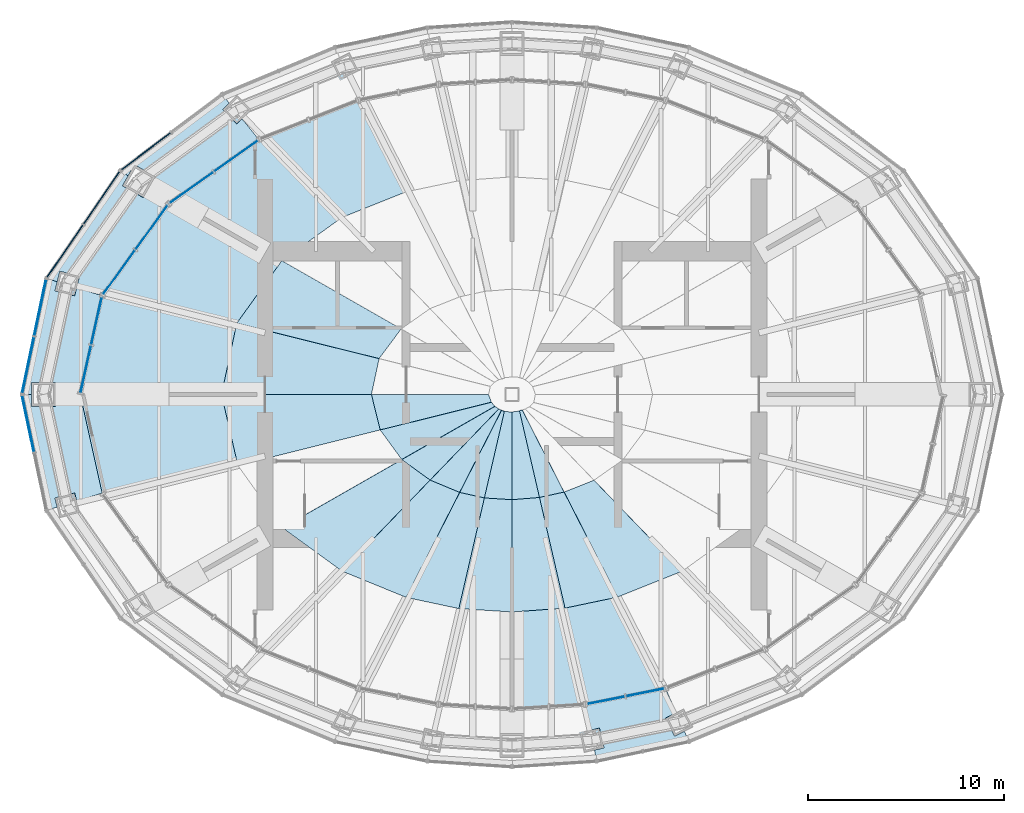
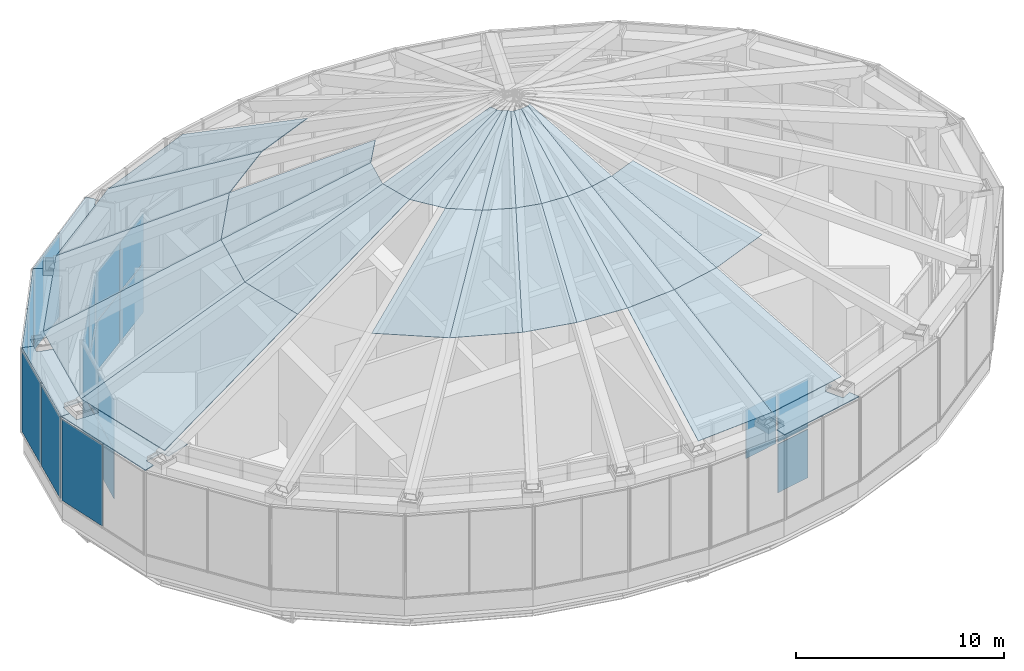
# One storey, part 15 of 21: 51 plates, 8 elements without a shape of their own.
"""IFC4 building model written with IfcOpenShell, lengths in metres."""

from ifc_helpers import new_model, si_unit, direction, frame, origin, origin_2d, place, context, subcontext, project, spatial, polyline, rectangle, outline, extrude, material, layer, layer_set, type_object, element, aggregate, save


model = new_model("IFC4")

# Units and contexts
model_context = context("Model", 3, precision=1e-05, world=origin(), true_north=direction((0.0, 1.0)))
body_context = subcontext(model_context, "Body", "Model", "MODEL_VIEW")
ifc_project = project(units=[si_unit("LENGTHUNIT", "METRE"), si_unit("AREAUNIT", "SQUARE_METRE"), si_unit("VOLUMEUNIT", "CUBIC_METRE"), si_unit("PLANEANGLEUNIT", "RADIAN"), si_unit("MASSUNIT", "GRAM", prefix="KILO")], contexts=[model_context])

# Site, building, storey
site_placement = place(None, origin())
site = spatial("IfcSite", under=ifc_project, at=site_placement, CompositionType="ELEMENT")
building_placement = place(site_placement, origin())
building = spatial("IfcBuilding", under=site, at=building_placement, Name="Lantaw Convention Tower", CompositionType="ELEMENT")
storey_placement = place(building_placement, frame((0.0, 0.0, 290.39990234375)))
storey = spatial("IfcBuildingStorey", under=building, at=storey_placement, Name="L67", CompositionType="ELEMENT", Elevation=290.39990234375)

# Curtain wall, plates
ifc_material_1 = material(Name="Aluminium framed curtain wall", Category="aluminium")
curtain_wall_type_1 = type_object("IfcCurtainWallType", Name="LANTERN glazing curtain wall, pale aluminium", PredefinedType="USERDEFINED", material=ifc_material_1)
curtain_wall_1_placement = place(storey_placement, origin())
curtain_wall_1 = element("IfcCurtainWall", 1, at=curtain_wall_1_placement, inside=storey, type_object=curtain_wall_type_1, Name="LANTERN glazing curtain wall, pale aluminium L67", ObjectType="LANTERN GLAZING", PredefinedType="USERDEFINED")
ifc_material_2 = material(Name="Low-iron laminated glass", Category="glass")
ifc_layer_1 = layer(ifc_material_2, 0.035888671875)
ifc_layer_set_1 = layer_set([ifc_layer_1], Name="CW-LN panel 36")
plate_type_1 = type_object("IfcPlateType", Name="CW-LN panel 36", PredefinedType="CURTAIN_PANEL", material=ifc_layer_set_1)
plate_1_placement = place(storey_placement, frame((-14.079345703125, 12.16064453125, 0.10009765625), z_axis=(0.0, 0.0, 1.0), x_axis=(-0.814841441337, -0.579683901346, 0.0)))
plate_1 = element("IfcPlate", 2, at=plate_1_placement, type_object=plate_type_1, Name="CW-LN panel 1.1", PredefinedType="CURTAIN_PANEL", context=body_context, shape_type="SweptSolid", body=[
    extrude(rectangle(XDim=2.680419921875, YDim=0.035888671875, at=origin_2d()), origin(), (0.0, 0.0, 1.0), 2.85009765625),
])
plate_2_placement = place(storey_placement, frame((-14.079345703125, 12.16064453125, 3.050048828125), z_axis=(0.0, 0.0, 1.0), x_axis=(-0.814841441337, -0.579683901346, 0.0)))
plate_2 = element("IfcPlate", 3, at=plate_2_placement, type_object=plate_type_1, Name="CW-LN panel 1.2", PredefinedType="CURTAIN_PANEL", context=body_context, shape_type="SweptSolid", body=[
    extrude(rectangle(XDim=2.680419921875, YDim=0.035888671875, at=origin_2d()), origin(), (0.0, 0.0, 1.0), 2.85009765625),
])
plate_3_placement = place(storey_placement, frame((-16.344970703125, 10.549072265625, 0.10009765625), z_axis=(0.0, 0.0, 1.0), x_axis=(-0.814841441337, -0.579683901346, 0.0)))
plate_3 = element("IfcPlate", 4, at=plate_3_placement, type_object=plate_type_1, Name="CW-LN panel 2.1", PredefinedType="CURTAIN_PANEL", context=body_context, shape_type="SweptSolid", body=[
    extrude(rectangle(XDim=2.680419921875, YDim=0.035888671875, at=origin_2d()), origin(), (0.0, 0.0, 1.0), 2.85009765625),
])
plate_4_placement = place(storey_placement, frame((-16.344970703125, 10.549072265625, 3.050048828125), z_axis=(0.0, 0.0, 1.0), x_axis=(-0.814841441337, -0.579683901346, 0.0)))
plate_4 = element("IfcPlate", 5, at=plate_4_placement, type_object=plate_type_1, Name="CW-LN panel 2.2", PredefinedType="CURTAIN_PANEL", context=body_context, shape_type="SweptSolid", body=[
    extrude(rectangle(XDim=2.680419921875, YDim=0.035888671875, at=origin_2d()), origin(), (0.0, 0.0, 1.0), 2.85009765625),
])
aggregate(curtain_wall_1, [plate_1, plate_2, plate_3, plate_4])

curtain_wall_2_placement = place(storey_placement, origin())
curtain_wall_2 = element("IfcCurtainWall", 6, at=curtain_wall_2_placement, inside=storey, type_object=curtain_wall_type_1, Name="LANTERN glazing curtain wall, pale aluminium L67", ObjectType="LANTERN GLAZING", PredefinedType="USERDEFINED")
plate_5_placement = place(storey_placement, frame((-18.380615234375, 8.524169921875, 0.10009765625), z_axis=(0.0, 0.0, 1.0), x_axis=(-0.586786346995, -0.809741800193, 0.0)))
plate_5 = element("IfcPlate", 7, at=plate_5_placement, type_object=plate_type_1, Name="CW-LN panel 1.1", PredefinedType="CURTAIN_PANEL", context=body_context, shape_type="SweptSolid", body=[
    extrude(rectangle(XDim=2.73876953125, YDim=0.035888671875, at=origin_2d()), origin(), (0.0, 0.0, 1.0), 2.85009765625),
])
plate_6_placement = place(storey_placement, frame((-18.380615234375, 8.524169921875, 3.050048828125), z_axis=(0.0, 0.0, 1.0), x_axis=(-0.586786346995, -0.809741800193, 0.0)))
plate_6 = element("IfcPlate", 8, at=plate_6_placement, type_object=plate_type_1, Name="CW-LN panel 1.2", PredefinedType="CURTAIN_PANEL", context=body_context, shape_type="SweptSolid", body=[
    extrude(rectangle(XDim=2.73876953125, YDim=0.035888671875, at=origin_2d()), origin(), (0.0, 0.0, 1.0), 2.85009765625),
])
plate_7_placement = place(storey_placement, frame((-20.04638671875, 6.2255859375, 0.10009765625), z_axis=(0.0, 0.0, 1.0), x_axis=(-0.586786346995, -0.809741800193, 0.0)))
plate_7 = element("IfcPlate", 9, at=plate_7_placement, type_object=plate_type_1, Name="CW-LN panel 2.1", PredefinedType="CURTAIN_PANEL", context=body_context, shape_type="SweptSolid", body=[
    extrude(rectangle(XDim=2.73876953125, YDim=0.035888671875, at=origin_2d()), origin(), (0.0, 0.0, 1.0), 2.85009765625),
])
plate_8_placement = place(storey_placement, frame((-20.04638671875, 6.2255859375, 3.050048828125), z_axis=(0.0, 0.0, 1.0), x_axis=(-0.586786346995, -0.809741800193, 0.0)))
plate_8 = element("IfcPlate", 10, at=plate_8_placement, type_object=plate_type_1, Name="CW-LN panel 2.2", PredefinedType="CURTAIN_PANEL", context=body_context, shape_type="SweptSolid", body=[
    extrude(rectangle(XDim=2.73876953125, YDim=0.035888671875, at=origin_2d()), origin(), (0.0, 0.0, 1.0), 2.85009765625),
])
aggregate(curtain_wall_2, [plate_5, plate_6, plate_7, plate_8])

curtain_wall_3_placement = place(storey_placement, origin())
curtain_wall_3 = element("IfcCurtainWall", 11, at=curtain_wall_3_placement, inside=storey, type_object=curtain_wall_type_1, Name="LANTERN glazing curtain wall, pale aluminium L67", ObjectType="LANTERN GLAZING", PredefinedType="USERDEFINED")
plate_9_placement = place(storey_placement, frame((-21.193603515625, 3.75244140625, 0.10009765625), z_axis=(0.0, 0.0, 1.0), x_axis=(-0.216765379683, -0.976223729568, 0.0)))
plate_9 = element("IfcPlate", 12, at=plate_9_placement, type_object=plate_type_1, Name="CW-LN panel 1.1", PredefinedType="CURTAIN_PANEL", context=body_context, shape_type="SweptSolid", body=[
    extrude(rectangle(XDim=2.42919921875, YDim=0.035888671875, at=origin_2d()), origin(), (0.0, 0.0, 1.0), 2.85009765625),
])
plate_10_placement = place(storey_placement, frame((-21.193603515625, 3.75244140625, 3.050048828125), z_axis=(0.0, 0.0, 1.0), x_axis=(-0.216765379683, -0.976223729568, 0.0)))
plate_10 = element("IfcPlate", 13, at=plate_10_placement, type_object=plate_type_1, Name="CW-LN panel 1.2", PredefinedType="CURTAIN_PANEL", context=body_context, shape_type="SweptSolid", body=[
    extrude(rectangle(XDim=2.42919921875, YDim=0.035888671875, at=origin_2d()), origin(), (0.0, 0.0, 1.0), 2.85009765625),
])
plate_11_placement = place(storey_placement, frame((-21.741943359375, 1.283203125, 0.10009765625), z_axis=(0.0, 0.0, 1.0), x_axis=(-0.216765379683, -0.976223729568, 0.0)))
plate_11 = element("IfcPlate", 14, at=plate_11_placement, type_object=plate_type_1, Name="CW-LN panel 2.1", PredefinedType="CURTAIN_PANEL", context=body_context, shape_type="SweptSolid", body=[
    extrude(rectangle(XDim=2.42919921875, YDim=0.035888671875, at=origin_2d()), origin(), (0.0, 0.0, 1.0), 2.85009765625),
])
plate_12_placement = place(storey_placement, frame((-21.741943359375, 1.283203125, 3.050048828125), z_axis=(0.0, 0.0, 1.0), x_axis=(-0.216765379683, -0.976223729568, 0.0)))
plate_12 = element("IfcPlate", 15, at=plate_12_placement, type_object=plate_type_1, Name="CW-LN panel 2.2", PredefinedType="CURTAIN_PANEL", context=body_context, shape_type="SweptSolid", body=[
    extrude(rectangle(XDim=2.42919921875, YDim=0.035888671875, at=origin_2d()), origin(), (0.0, 0.0, 1.0), 2.85009765625),
])
aggregate(curtain_wall_3, [plate_9, plate_10, plate_11, plate_12])

curtain_wall_4_placement = place(storey_placement, origin())
curtain_wall_4 = element("IfcCurtainWall", 16, at=curtain_wall_4_placement, inside=storey, type_object=curtain_wall_type_1, Name="LANTERN glazing curtain wall, pale aluminium L67", ObjectType="LANTERN GLAZING", PredefinedType="USERDEFINED")
plate_13_placement = place(storey_placement, frame((4.792724609375, -15.60400390625, 3.050048828125), z_axis=(0.0, 0.0, 1.0), x_axis=(0.980530423622, 0.196367228305, 0.0)))
plate_13 = element("IfcPlate", 17, at=plate_13_placement, type_object=plate_type_1, Name="CW-LN panel 1.2", PredefinedType="CURTAIN_PANEL", context=body_context, shape_type="SweptSolid", body=[
    extrude(rectangle(XDim=1.936279296875, YDim=0.035888671875, at=origin_2d()), origin(), (0.0, 0.0, 1.0), 2.85009765625),
])
plate_14_placement = place(storey_placement, frame((6.789306640625, -15.2041015625, 0.10009765625), z_axis=(0.0, 0.0, 1.0), x_axis=(0.980530423622, 0.196367228305, 0.0)))
plate_14 = element("IfcPlate", 18, at=plate_14_placement, type_object=plate_type_1, Name="CW-LN panel 2.1", PredefinedType="CURTAIN_PANEL", context=body_context, shape_type="SweptSolid", body=[
    extrude(rectangle(XDim=1.936279296875, YDim=0.035888671875, at=origin_2d()), origin(), (0.0, 0.0, 1.0), 2.85009765625),
])
plate_15_placement = place(storey_placement, frame((6.789306640625, -15.2041015625, 3.050048828125), z_axis=(0.0, 0.0, 1.0), x_axis=(0.980530423622, 0.196367228305, 0.0)))
plate_15 = element("IfcPlate", 19, at=plate_15_placement, type_object=plate_type_1, Name="CW-LN panel 2.2", PredefinedType="CURTAIN_PANEL", context=body_context, shape_type="SweptSolid", body=[
    extrude(rectangle(XDim=1.936279296875, YDim=0.035888671875, at=origin_2d()), origin(), (0.0, 0.0, 1.0), 2.85009765625),
])
aggregate(curtain_wall_4, [plate_13, plate_14, plate_15])

# Curtain wall, plate
curtain_wall_type_2 = type_object("IfcCurtainWallType", Name="Plant floor louvre wall, pale aluminium", PredefinedType="USERDEFINED", material=ifc_material_1)
curtain_wall_5_placement = place(storey_placement, origin())
curtain_wall_5 = element("IfcCurtainWall", 20, at=curtain_wall_5_placement, inside=storey, type_object=curtain_wall_type_2, Name="Plant floor louvre wall, pale aluminium L67", ObjectType="LOUVRE WALL", PredefinedType="USERDEFINED")
ifc_material_3 = material(Name="Aluminium louvre blades", Category="aluminium")
ifc_layer_2 = layer(ifc_material_3, 0.050048828125)
ifc_layer_set_2 = layer_set([ifc_layer_2], Name="CW-LV panel 50")
plate_type_2 = type_object("IfcPlateType", Name="CW-LV panel 50", PredefinedType="CURTAIN_PANEL", material=ifc_layer_set_2)
plate_16_placement = place(storey_placement, frame((-18.67041015625, 12.403564453125, 1.169921875), z_axis=(0.0, 0.0, 1.0), x_axis=(-0.799517528732, -0.600642756762, 0.0)))
plate_16 = element("IfcPlate", 21, at=plate_16_placement, type_object=plate_type_2, Name="CW-LV panel 2.1", PredefinedType="CURTAIN_PANEL", context=body_context, shape_type="SweptSolid", body=[
    extrude(rectangle(XDim=3.140869140625, YDim=0.050048828125, at=origin_2d()), origin(), (0.0, 0.0, 1.0), 4.760009765625),
])
aggregate(curtain_wall_5, [plate_16])

# Curtain wall, plates
curtain_wall_6_placement = place(storey_placement, origin())
curtain_wall_6 = element("IfcCurtainWall", 22, at=curtain_wall_6_placement, inside=storey, type_object=curtain_wall_type_2, Name="Plant floor louvre wall, pale aluminium L67", ObjectType="LOUVRE WALL", PredefinedType="USERDEFINED")
plate_17_placement = place(storey_placement, frame((-20.93505859375, 10.030029296875, 1.169921875), z_axis=(0.0, 0.0, 1.0), x_axis=(-0.565934832921, -0.824449977189, 0.0)))
plate_17 = element("IfcPlate", 23, at=plate_17_placement, type_object=plate_type_2, Name="CW-LV panel 1.1", PredefinedType="CURTAIN_PANEL", context=body_context, shape_type="SweptSolid", body=[
    extrude(rectangle(XDim=3.22802734375, YDim=0.050048828125, at=origin_2d()), origin(), (0.0, 0.0, 1.0), 4.760009765625),
])
plate_18_placement = place(storey_placement, frame((-22.80126953125, 7.31103515625, 1.169921875), z_axis=(0.0, 0.0, 1.0), x_axis=(-0.565934832921, -0.824449977189, 0.0)))
plate_18 = element("IfcPlate", 24, at=plate_18_placement, type_object=plate_type_2, Name="CW-LV panel 2.1", PredefinedType="CURTAIN_PANEL", context=body_context, shape_type="SweptSolid", body=[
    extrude(rectangle(XDim=3.22802734375, YDim=0.050048828125, at=origin_2d()), origin(), (0.0, 0.0, 1.0), 4.760009765625),
])
aggregate(curtain_wall_6, [plate_17, plate_18])

curtain_wall_7_placement = place(storey_placement, origin())
curtain_wall_7 = element("IfcCurtainWall", 25, at=curtain_wall_7_placement, inside=storey, type_object=curtain_wall_type_2, Name="Plant floor louvre wall, pale aluminium L67", ObjectType="LOUVRE WALL", PredefinedType="USERDEFINED")
plate_19_placement = place(storey_placement, frame((-24.0693359375, 4.4248046875, 1.169921875), z_axis=(0.0, 0.0, 1.0), x_axis=(-0.205814054946, -0.978591117263, 0.0)))
plate_19 = element("IfcPlate", 26, at=plate_19_placement, type_object=plate_type_2, Name="CW-LV panel 1.1", PredefinedType="CURTAIN_PANEL", context=body_context, shape_type="SweptSolid", body=[
    extrude(rectangle(XDim=2.921142578125, YDim=0.050048828125, at=origin_2d()), origin(), (0.0, 0.0, 1.0), 4.760009765625),
])
plate_20_placement = place(storey_placement, frame((-24.68505859375, 1.497802734375, 1.169921875), z_axis=(0.0, 0.0, 1.0), x_axis=(-0.205814054946, -0.978591117263, 0.0)))
plate_20 = element("IfcPlate", 27, at=plate_20_placement, type_object=plate_type_2, Name="CW-LV panel 2.1", PredefinedType="CURTAIN_PANEL", context=body_context, shape_type="SweptSolid", body=[
    extrude(rectangle(XDim=2.921142578125, YDim=0.050048828125, at=origin_2d()), origin(), (0.0, 0.0, 1.0), 4.760009765625),
])
aggregate(curtain_wall_7, [plate_19, plate_20])

# Curtain wall, plate
curtain_wall_8_placement = place(storey_placement, origin())
curtain_wall_8 = element("IfcCurtainWall", 28, at=curtain_wall_8_placement, inside=storey, type_object=curtain_wall_type_2, Name="Plant floor louvre wall, pale aluminium L67", ObjectType="LOUVRE WALL", PredefinedType="USERDEFINED")
plate_21_placement = place(storey_placement, frame((-24.68505859375, -1.497802734375, 1.169921875), z_axis=(0.0, 0.0, 1.0), x_axis=(0.205814054946, -0.978591117263, 0.0)))
plate_21 = element("IfcPlate", 29, at=plate_21_placement, type_object=plate_type_2, Name="CW-LV panel 1.1", PredefinedType="CURTAIN_PANEL", context=body_context, shape_type="SweptSolid", body=[
    extrude(rectangle(XDim=2.921142578125, YDim=0.050048828125, at=origin_2d()), origin(), (0.0, 0.0, 1.0), 4.760009765625),
])
aggregate(curtain_wall_8, [plate_21])

# Plates
ifc_material_4 = material(Name="Aluminium composite panel, pale silver", Category="aluminium")
ifc_layer_3 = layer(ifc_material_4, 0.050048828125)
ifc_layer_set_3 = layer_set([ifc_layer_3], Name="LANTERN eaves panel 50")
plate_type_3 = type_object("IfcPlateType", Name="LANTERN eaves panel 50", PredefinedType="SHEET", material=ifc_layer_set_3)
plate_22_placement = place(storey_placement, frame((0.0, 0.0, 6.0)))
element("IfcPlate", 30, at=plate_22_placement, inside=storey, type_object=plate_type_3, Name="LANTERN eaves panel", PredefinedType="SHEET", context=body_context, shape_type="SweptSolid", body=[
    extrude(outline(polyline([(-12.90576171875, 12.99560546875), (-13.7666015625, 14.055419921875), (-14.04052734375, 13.790771484375), (-14.762939453125, 14.5390625), (-14.4248046875, 14.865478515625), (-14.791748046875, 15.3173828125), (-19.98193359375, 11.418212890625), (-19.585693359375, 11.144287109375), (-19.257568359375, 11.718505859375), (-18.180908203125, 11.103271484375), (-18.562255859375, 10.43603515625), (-17.518310546875, 9.714111328125), (-12.90576171875, 12.99560546875)])), origin(), (0.0, 0.0, 1.0), 0.050048828125),
])
plate_23_placement = place(storey_placement, frame((0.0, 0.0, 6.0)))
element("IfcPlate", 31, at=plate_23_placement, inside=storey, type_object=plate_type_3, Name="LANTERN eaves panel", PredefinedType="SHEET", context=body_context, shape_type="SweptSolid", body=[
    extrude(outline(polyline([(-17.518310546875, 9.714111328125), (-18.562255859375, 10.43603515625), (-18.796142578125, 10.026611328125), (-19.872802734375, 10.641845703125), (-19.585693359375, 11.144287109375), (-19.98193359375, 11.418212890625), (-23.75439453125, 5.922607421875), (-23.19970703125, 5.749755859375), (-23.06591796875, 6.286865234375), (-22.056640625, 6.03515625), (-22.205078125, 5.439697265625), (-20.90869140625, 5.03564453125), (-17.518310546875, 9.714111328125)])), origin(), (0.0, 0.0, 1.0), 0.050048828125),
])
plate_24_placement = place(storey_placement, frame((0.0, 0.0, 6.0)))
element("IfcPlate", 32, at=plate_24_placement, inside=storey, type_object=plate_type_3, Name="LANTERN eaves panel", PredefinedType="SHEET", context=body_context, shape_type="SweptSolid", body=[
    extrude(outline(polyline([(-20.90869140625, 5.03564453125), (-22.205078125, 5.439697265625), (-22.308349609375, 5.026123046875), (-23.3173828125, 5.27783203125), (-23.19970703125, 5.749755859375), (-23.75439453125, 5.922607421875), (-25.0, 0.0), (-24.52001953125, 0.0), (-24.52001953125, 0.6201171875), (-23.280029296875, 0.6201171875), (-23.280029296875, 0.0), (-22.02685546875, 0.0), (-20.90869140625, 5.03564453125)])), origin(), (0.0, 0.0, 1.0), 0.050048828125),
])
plate_25_placement = place(storey_placement, frame((0.0, 0.0, 6.0)))
element("IfcPlate", 33, at=plate_25_placement, inside=storey, type_object=plate_type_3, Name="LANTERN eaves panel", PredefinedType="SHEET", context=body_context, shape_type="SweptSolid", body=[
    extrude(outline(polyline([(-22.02685546875, 0.0), (-23.280029296875, 0.0), (-23.280029296875, -0.6201171875), (-24.52001953125, -0.6201171875), (-24.52001953125, 0.0), (-25.0, 0.0), (-23.75439453125, -5.922607421875), (-23.19970703125, -5.749755859375), (-23.3173828125, -5.27783203125), (-22.308349609375, -5.026123046875), (-22.205078125, -5.439697265625), (-20.90869140625, -5.03564453125), (-22.02685546875, 0.0)])), origin(), (0.0, 0.0, 1.0), 0.050048828125),
])
plate_26_placement = place(storey_placement, frame((0.0, 0.0, 6.0)))
element("IfcPlate", 34, at=plate_26_placement, inside=storey, type_object=plate_type_3, Name="LANTERN eaves panel", PredefinedType="SHEET", context=body_context, shape_type="SweptSolid", body=[
    extrude(outline(polyline([(3.745361328125, -15.813720703125), (4.005126953125, -17.124267578125), (4.462646484375, -17.0185546875), (4.69677734375, -18.031982421875), (4.20751953125, -18.14501953125), (4.320556640625, -18.714111328125), (9.02783203125, -17.718017578125), (8.794921875, -17.185546875), (8.301025390625, -17.437255859375), (7.828857421875, -16.510498046875), (8.37744140625, -16.231201171875), (7.83642578125, -14.994384765625), (3.745361328125, -15.813720703125)])), origin(), (0.0, 0.0, 1.0), 0.050048828125),
])
ifc_layer_4 = layer(ifc_material_2, 0.035888671875)
ifc_layer_set_4 = layer_set([ifc_layer_4], Name="LANTERN roof glass 36")
plate_type_4 = type_object("IfcPlateType", Name="LANTERN roof glass 36", PredefinedType="SHEET", material=ifc_layer_set_4)
plate_27_placement = place(storey_placement, frame((-8.62744140625, 16.697998046875, 6.7314453125), z_axis=(-0.171101311281, 0.425413310467, 0.888677588643), x_axis=(-0.928321487637, -0.371777667128, -0.000762768976)))
element("IfcPlate", 35, at=plate_27_placement, inside=storey, type_object=plate_type_4, Name="LANTERN roof glass", PredefinedType="SHEET", context=body_context, shape_type="SweptSolid", body=[
    extrude(outline(polyline([(0.0, 0.0), (5.7873859783149, 1.5439038936193583e-16), (2.8885548955016627, 7.996192701663095), (-0.6465941826817319, 7.99985247265633), (0.0, 0.0)])), origin(), (0.0, 0.0, -1.0), 0.035888671875),
])
plate_28_placement = place(storey_placement, frame((-14.0, 14.54638671875, 6.72705078125), z_axis=(-0.256475614814, 0.350897030229, 0.900606203167), x_axis=(-0.810387981103, -0.585888242156, -0.00250754599)))
element("IfcPlate", 36, at=plate_28_placement, inside=storey, type_object=plate_type_4, Name="LANTERN roof glass", PredefinedType="SHEET", context=body_context, shape_type="SweptSolid", body=[
    extrude(outline(polyline([(0.0, 0.0), (6.1334316208424875, 3.235259282696745e-16), (2.685453075876651, 8.421104060679056), (-1.0947139965458723, 8.434685568240315), (0.0, 0.0)])), origin(), (0.0, 0.0, -1.0), 0.035888671875),
])
plate_29_placement = place(storey_placement, frame((-18.970458984375, 10.952880859375, 6.711669921875), z_axis=(-0.331218265523, 0.232406966982, 0.91448426027), x_axis=(-0.58112706502, -0.813804611997, -0.003658933324)))
element("IfcPlate", 37, at=plate_29_placement, inside=storey, type_object=plate_type_4, Name="LANTERN roof glass", PredefinedType="SHEET", context=body_context, shape_type="SweptSolid", body=[
    extrude(outline(polyline([(0.0, 0.0), (6.347089715091811, 4.683753385137379e-17), (3.0729183510709137, 9.037832064428528), (-0.8529929632363572, 9.059577951036603), (0.0, 0.0)])), origin(), (0.0, 0.0, -1.0), 0.035888671875),
])
plate_30_placement = place(storey_placement, frame((-11.740234375, 6.821533203125, 10.38037109375), z_axis=(-0.33123451583, 0.232410652844, 0.914477437648), x_axis=(-0.585233441157, -0.810843350335, -0.005905977449)))
element("IfcPlate", 38, at=plate_30_placement, inside=storey, type_object=plate_type_4, Name="LANTERN roof glass", PredefinedType="SHEET", context=body_context, shape_type="SweptSolid", body=[
    extrude(outline(polyline([(0.0, 0.0), (3.9259715399413055, 3.0010716134398763e-16), (1.1267407900695354, 7.59542243709389), (-0.7603877802750655, 7.625216964023146), (0.0, 0.0)])), origin(), (0.0, 0.0, -1.0), 0.035888671875),
])
plate_31_placement = place(storey_placement, frame((-22.658935546875, 5.78759765625, 6.6884765625), z_axis=(-0.373349551929, 0.080060115531, 0.924229673823), x_axis=(-0.209655633502, -0.977775288755, 6.454839e-06)))
element("IfcPlate", 39, at=plate_31_placement, inside=storey, type_object=plate_type_4, Name="LANTERN roof glass", PredefinedType="SHEET", context=body_context, shape_type="SweptSolid", body=[
    extrude(outline(polyline([(0.0, 0.0), (5.91914564948927, 0.0), (4.015121500618181, 9.607961148304756), (0.29420676485305286, 9.608124110599558), (0.0, 0.0)])), origin(), (0.0, 0.0, -1.0), 0.035888671875),
])
plate_32_placement = place(storey_placement, frame((-14.037841796875, 3.63818359375, 10.357177734375), z_axis=(-0.373361608653, 0.080058467313, 0.924224946101), x_axis=(-0.209693665768, -0.977767132981, -1.4094317e-05)))
element("IfcPlate", 40, at=plate_32_placement, inside=storey, type_object=plate_type_4, Name="LANTERN roof glass", PredefinedType="SHEET", context=body_context, shape_type="SweptSolid", body=[
    extrude(outline(polyline([(0.0, 0.0), (3.720914739130676, 0.0), (2.117093491305304, 8.091244948117813), (0.24744538942046446, 8.09103859618929), (0.0, 0.0)])), origin(), (0.0, 0.0, -1.0), 0.035888671875),
])
plate_33_placement = place(storey_placement, frame((-23.89990234375, 0.0, 6.6884765625), z_axis=(-0.373349324364, -0.080054786396, 0.924230227363), x_axis=(0.218905664324, -0.97573818458, 0.003912196142)))
element("IfcPlate", 41, at=plate_33_placement, inside=storey, type_object=plate_type_4, Name="LANTERN roof glass", PredefinedType="SHEET", context=body_context, shape_type="SweptSolid", body=[
    extrude(outline(polyline([(0.0, 0.0), (5.917741434825973, -3.3306690738754696e-16), (5.721796775355795, 9.610684773387858), (2.002407318998966, 9.587939836861814), (0.0, 0.0)])), origin(), (0.0, 0.0, -1.0), 0.035888671875),
])
plate_34_placement = place(storey_placement, frame((-14.818115234375, 0.0, 10.357177734375), z_axis=(-0.373362294268, -0.08005337944, 0.92422510984), x_axis=(0.224412701388, -0.974474147928, 0.00625095799)))
element("IfcPlate", 42, at=plate_34_placement, inside=storey, type_object=plate_type_4, Name="LANTERN roof glass", PredefinedType="SHEET", context=body_context, shape_type="SweptSolid", body=[
    extrude(outline(polyline([(0.0, 0.0), (3.7194590007796138, -1.1796119636642288e-16), (3.6041002676485854, 8.093999453169022), (1.7356646898783237, 8.063991287766104), (0.0, 0.0)])), origin(), (0.0, 0.0, -1.0), 0.035888671875),
])
plate_35_placement = place(storey_placement, frame((-7.169921875, 0.0, 13.44677734375), z_axis=(-0.37334512239, -0.080029098565, 0.924234149429), x_axis=(0.238831332491, -0.970981903024, 0.012399137864)))
element("IfcPlate", 43, at=plate_35_placement, inside=storey, type_object=plate_type_4, Name="LANTERN roof glass", PredefinedType="SHEET", context=body_context, shape_type="SweptSolid", body=[
    extrude(outline(polyline([(0.0, 0.0), (1.8686765373944467, -6.938893903907228e-18), (1.8801951436057627, 6.32415580137119), (1.4569084660595533, 6.27707198966804), (0.0, 0.0)])), origin(), (0.0, 0.0, -1.0), 0.035888671875),
])
plate_36_placement = place(storey_placement, frame((-6.7236328125, -1.814453125, 13.469970703125), z_axis=(-0.331165641388, -0.23249808717, 0.914480156934), x_axis=(0.589390552982, -0.807808014483, 0.008061500605)))
element("IfcPlate", 44, at=plate_36_placement, inside=storey, type_object=plate_type_4, Name="LANTERN roof glass", PredefinedType="SHEET", context=body_context, shape_type="SweptSolid", body=[
    extrude(outline(polyline([(0.0, 0.0), (1.8698527721696487, -8.847089727481716e-17), (2.497307582727411, 5.953717213361722), (2.2201155522404266, 5.92166920799492), (0.0, 0.0)])), origin(), (0.0, 0.0, -1.0), 0.035888671875),
])
plate_37_placement = place(storey_placement, frame((-11.710205078125, -6.80419921875, 10.395751953125), z_axis=(-0.256464799275, -0.350889236758, 0.900612319625), x_axis=(0.808775077728, -0.588116903709, 0.00117525208)))
element("IfcPlate", 45, at=plate_37_placement, inside=storey, type_object=plate_type_4, Name="LANTERN roof glass", PredefinedType="SHEET", context=body_context, shape_type="SweptSolid", body=[
    extrude(outline(polyline([(0.0, 0.0), (3.767259527769725, 2.7538735181131813e-16), (4.667811594245474, 7.10563638521856), (2.881752760868813, 7.100430678121081), (0.0, 0.0)])), origin(), (0.0, 0.0, -1.0), 0.035888671875),
])
plate_38_placement = place(storey_placement, frame((-5.62158203125, -3.324951171875, 13.485107421875), z_axis=(-0.256496656934, -0.350856644681, 0.900615944709), x_axis=(0.810302697178, -0.586006293827, 0.002482446519)))
element("IfcPlate", 46, at=plate_38_placement, inside=storey, type_object=plate_type_4, Name="LANTERN roof glass", PredefinedType="SHEET", context=body_context, shape_type="SweptSolid", body=[
    extrude(outline(polyline([(0.0, 0.0), (1.7860664195670508, 1.1752751549742868e-16), (2.505520957623048, 5.5492416551141535), (2.267693151594455, 5.5405790283157), (0.0, 0.0)])), origin(), (0.0, 0.0, -1.0), 0.035888671875),
])
plate_39_placement = place(storey_placement, frame((-8.663330078125, -9.019775390625, 10.400146484375), z_axis=(-0.171065729397, -0.425442871882, 0.888670286997), x_axis=(0.925644509883, -0.378382683364, -0.002964161482)))
element("IfcPlate", 47, at=plate_39_placement, inside=storey, type_object=plate_type_4, Name="LANTERN roof glass", PredefinedType="SHEET", context=body_context, shape_type="SweptSolid", body=[
    extrude(outline(polyline([(0.0, 0.0), (3.5300501073987642, -1.5872719805187785e-16), (4.02028574646231, 6.74104206164491), (2.387277635563866, 6.752922919295874), (0.0, 0.0)])), origin(), (0.0, 0.0, -1.0), 0.035888671875),
])
plate_40_placement = place(storey_placement, frame((-4.17431640625, -4.37158203125, 13.489501953125), z_axis=(-0.171106958068, -0.425405418594, 0.888680279252), x_axis=(0.923155495553, -0.384375891838, -0.00625338339)))
element("IfcPlate", 48, at=plate_40_placement, inside=storey, type_object=plate_type_4, Name="LANTERN roof glass", PredefinedType="SHEET", context=body_context, shape_type="SweptSolid", body=[
    extrude(outline(polyline([(0.0, 0.0), (1.6330513293599542, -1.214306433183765e-17), (1.9778456614560345, 5.268852659539004), (1.8263655270621086, 5.289242548837372), (0.0, 0.0)])), origin(), (0.0, 0.0, -1.0), 0.035888671875),
])
plate_41_placement = place(storey_placement, frame((-5.395751953125, -10.35546875, 10.3896484375), z_axis=(-0.093688580334, -0.461210780147, 0.882330474477), x_axis=(0.978101920047, -0.208068712649, -0.00490355156)))
element("IfcPlate", 49, at=plate_41_placement, inside=storey, type_object=plate_type_4, Name="LANTERN roof glass", PredefinedType="SHEET", context=body_context, shape_type="SweptSolid", body=[
    extrude(outline(polyline([(0.0, 0.0), (2.744427008089181, 7.37257477290143e-17), (2.8293092337927765, 6.565596695783525), (1.5396360670144347, 6.581147304246267), (0.0, 0.0)])), origin(), (0.0, 0.0, -1.0), 0.035888671875),
])
plate_42_placement = place(storey_placement, frame((-2.666748046875, -4.999267578125, 13.479248046875), z_axis=(-0.093620154862, -0.461223554568, 0.882331059929), x_axis=(0.975796598011, -0.218421197176, -0.010638605804)))
element("IfcPlate", 50, at=plate_42_placement, inside=storey, type_object=plate_type_4, Name="LANTERN roof glass", PredefinedType="SHEET", context=body_context, shape_type="SweptSolid", body=[
    extrude(outline(polyline([(0.0, 0.0), (1.2897669155798912, 2.6020852139652106e-18), (1.2943755594123756, 5.1299182076908885), (1.1408538903926455, 5.155399487840457), (0.0, 0.0)])), origin(), (0.0, 0.0, -1.0), 0.035888671875),
])
plate_43_placement = place(storey_placement, frame((-2.71142578125, -10.926513671875, 10.376220703125), z_axis=(-0.030004045267, -0.474496963287, 0.879745638863), x_axis=(0.998007927444, -0.063088641257, 1.0123764e-05)))
element("IfcPlate", 51, at=plate_43_placement, inside=storey, type_object=plate_type_4, Name="LANTERN roof glass", PredefinedType="SHEET", context=body_context, shape_type="SweptSolid", body=[
    extrude(outline(polyline([(0.0, 0.0), (2.7168369795800427, -2.7755575615628914e-17), (2.355510195788531, 6.497773510105893), (0.9444904009745485, 6.497861405612378), (0.0, 0.0)])), origin(), (0.0, 0.0, -1.0), 0.035888671875),
])
plate_44_placement = place(storey_placement, frame((-1.408203125, -5.281005859375, 13.465576171875), z_axis=(-0.030021551733, -0.474482250035, 0.879752977167), x_axis=(0.998003916201, -0.063152064389, -3.304797e-06)))
element("IfcPlate", 52, at=plate_44_placement, inside=storey, type_object=plate_type_4, Name="LANTERN roof glass", PredefinedType="SHEET", context=body_context, shape_type="SweptSolid", body=[
    extrude(outline(polyline([(0.0, 0.0), (1.4110197978879926, 0.0), (1.1284001661816823, 5.076609664543357), (0.73772862988377, 5.076597140699544), (0.0, 0.0)])), origin(), (0.0, 0.0, -1.0), 0.035888671875),
])
plate_45_placement = place(storey_placement, frame((0.0, -17.89990234375, 6.70751953125), z_axis=(0.030046812644, -0.474493025277, 0.879746303211), x_axis=(0.997611504749, 0.06900288302, 0.003144475552)))
element("IfcPlate", 53, at=plate_45_placement, inside=storey, type_object=plate_type_4, Name="LANTERN roof glass", PredefinedType="SHEET", context=body_context, shape_type="SweptSolid", body=[
    extrude(outline(polyline([(0.0, 0.0), (4.2636008437351345, -3.8163916471489756e-17), (3.1938283518505846, 7.7236663312260445), (0.48089388621547163, 7.713322236784032), (0.0, 0.0)])), origin(), (0.0, 0.0, -1.0), 0.035888671875),
])
plate_46_placement = place(storey_placement, frame((0.0, -11.097900390625, 10.376220703125), z_axis=(0.030037923246, -0.47450758169, 0.87973875559), x_axis=(0.997367404061, 0.07234362778, 0.004965967805)))
element("IfcPlate", 54, at=plate_46_placement, inside=storey, type_object=plate_type_4, Name="LANTERN roof glass", PredefinedType="SHEET", context=body_context, shape_type="SweptSolid", body=[
    extrude(outline(polyline([(0.0, 0.0), (2.712954185588994, 6.158268339717665e-17), (1.8366782581150976, 6.50757638404278), (0.4297102558453864, 6.493609683968924), (0.0, 0.0)])), origin(), (0.0, 0.0, -1.0), 0.035888671875),
])
plate_47_placement = place(storey_placement, frame((0.0, -5.3701171875, 13.465576171875), z_axis=(0.029981364327, -0.474486387722, 0.87975211603), x_axis=(0.99666476706, 0.081022289111, 0.009732973228)))
element("IfcPlate", 55, at=plate_47_placement, inside=storey, type_object=plate_type_4, Name="LANTERN roof glass", PredefinedType="SHEET", context=body_context, shape_type="SweptSolid", body=[
    extrude(outline(polyline([(0.0, 0.0), (1.4070373236108282, -1.9949319973733282e-17), (0.7729748492451886, 5.090584135270511), (0.38607390935843794, 5.069791561615826), (0.0, 0.0)])), origin(), (0.0, 0.0, -1.0), 0.035888671875),
])
plate_48_placement = place(storey_placement, frame((4.25341796875, -17.605712890625, 6.720947265625), z_axis=(0.093590031254, -0.461239410473, 0.882325967133), x_axis=(0.97913661476, 0.20318937997, 0.002359132035)))
element("IfcPlate", 56, at=plate_48_placement, inside=storey, type_object=plate_type_4, Name="LANTERN roof glass", PredefinedType="SHEET", context=body_context, shape_type="SweptSolid", body=[
    extrude(outline(polyline([(0.0, 0.0), (4.467229284043964, 6.765421556309548e-17), (2.5951299138612143, 7.8045478772235715), (-0.14446190183373034, 7.796060898804053), (0.0, 0.0)])), origin(), (0.0, 0.0, -1.0), 0.035888671875),
])
plate_49_placement = place(storey_placement, frame((2.705810546875, -10.901611328125, 10.3896484375), z_axis=(0.093614094914, -0.461233710561, 0.882326393958), x_axis=(0.978570845032, 0.205875440874, 0.003795273001)))
element("IfcPlate", 57, at=plate_49_placement, inside=storey, type_object=plate_type_4, Name="LANTERN roof glass", PredefinedType="SHEET", context=body_context, shape_type="SweptSolid", body=[
    extrude(outline(polyline([(0.0, 0.0), (2.7396049595851513, -1.0321604682062002e-16), (1.1835165260238036, 6.577161948757344), (-0.10153732104818512, 6.565523593535028), (0.0, 0.0)])), origin(), (0.0, 0.0, -1.0), 0.035888671875),
])
plate_50_placement = place(storey_placement, frame((1.40234375, -5.256103515625, 13.479248046875), z_axis=(0.093697922516, -0.461195877242, 0.882337272323), x_axis=(0.976861349096, 0.213724729054, 0.007977771231)))
element("IfcPlate", 58, at=plate_50_placement, inside=storey, type_object=plate_type_4, Name="LANTERN roof glass", PredefinedType="SHEET", context=body_context, shape_type="SweptSolid", body=[
    extrude(outline(polyline([(0.0, 0.0), (1.2851065536199469, -6.158268339717665e-17), (0.11567036090693304, 5.149092307105212), (-0.03282946425683342, 5.129815229285583), (0.0, 0.0)])), origin(), (0.0, 0.0, -1.0), 0.035888671875),
])
plate_51_placement = place(storey_placement, frame((5.38671875, -10.337646484375, 10.400146484375), z_axis=(0.171110868606, -0.425388843547, 0.888687460489), x_axis=(0.928659622148, 0.37093090349, -0.001253406359)))
element("IfcPlate", 59, at=plate_51_placement, inside=storey, type_object=plate_type_4, Name="LANTERN roof glass", PredefinedType="SHEET", context=body_context, shape_type="SweptSolid", body=[
    extrude(outline(polyline([(0.0, 0.0), (3.535150972408987, -1.470178145890344e-16), (1.0867621359723143, 6.731175547696888), (-0.5514074142480766, 6.736202222918226), (0.0, 0.0)])), origin(), (0.0, 0.0, -1.0), 0.035888671875),
])

save(model, "model.ifc")
